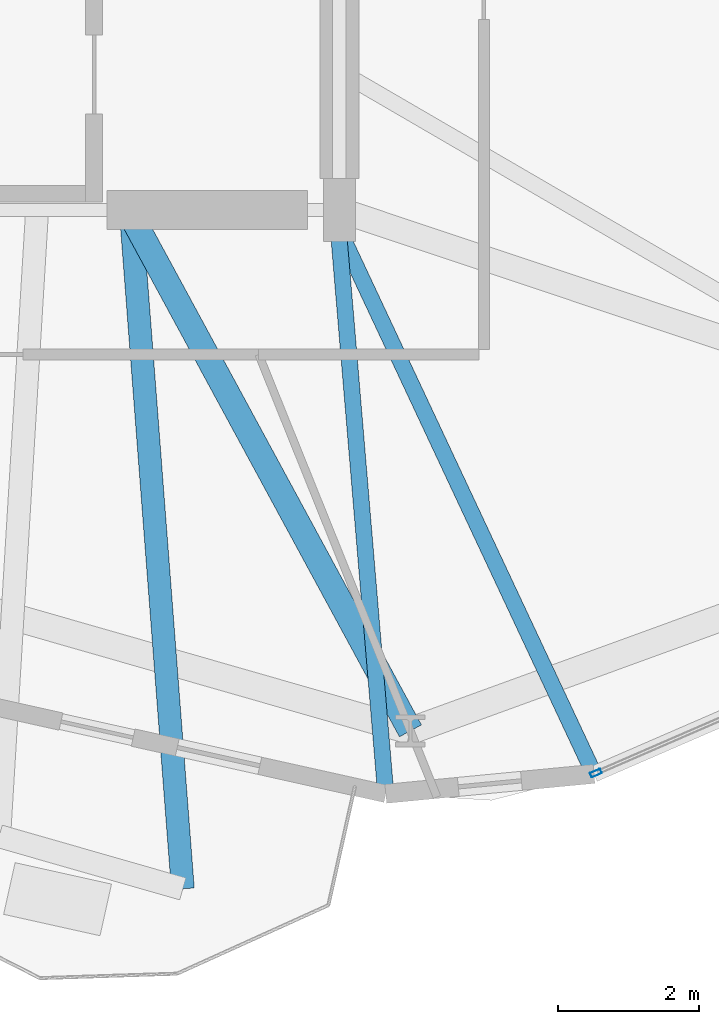
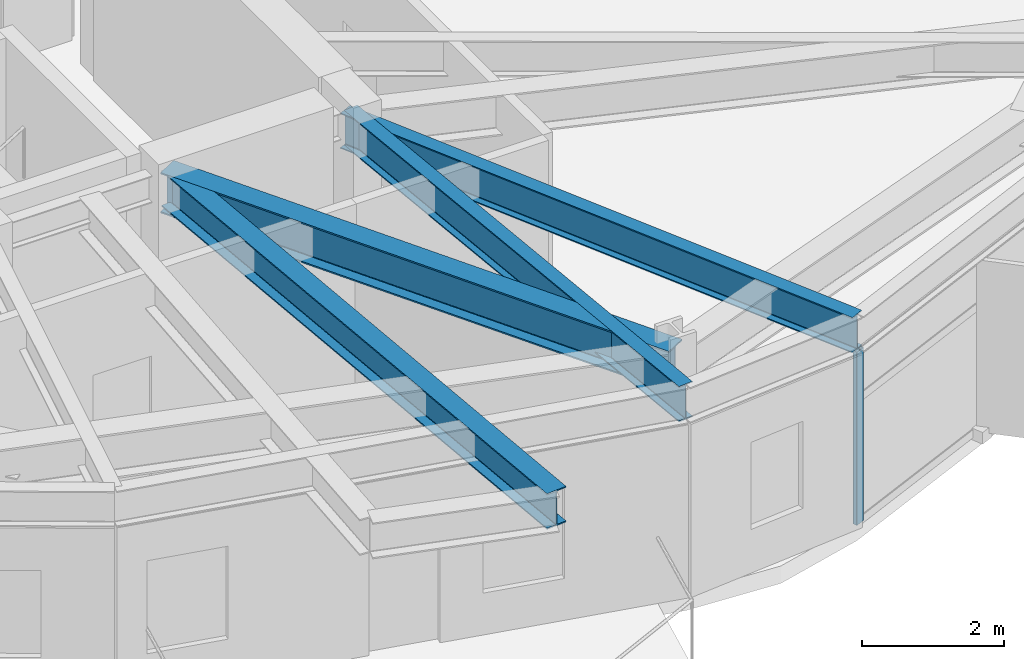
# One storey, part 5 of 23: 4 beams, 1 member, 1 element without a shape of its own.
"""IFC4 building model written with IfcOpenShell, lengths in metres."""

from ifc_helpers import new_model, si_unit, direction, frame, origin, origin_2d, place, context, subcontext, project, spatial, hollow_rectangle, i_section, extrude, material, layer, layer_set, material_profile, profile_set, type_object, element, aggregate, save


model = new_model("IFC4")

# Units and contexts
model_context = context("Model", 3, precision=1e-05, world=origin(), true_north=direction((0.0, 1.0)))
body_context = subcontext(model_context, "Body", "Model", "MODEL_VIEW")
ifc_project = project(units=[si_unit("LENGTHUNIT", "METRE"), si_unit("AREAUNIT", "SQUARE_METRE"), si_unit("VOLUMEUNIT", "CUBIC_METRE"), si_unit("PLANEANGLEUNIT", "RADIAN"), si_unit("MASSUNIT", "GRAM", prefix="KILO")], contexts=[model_context])

# Site, building, storey
site_placement = place(None, origin())
site = spatial("IfcSite", under=ifc_project, at=site_placement, CompositionType="ELEMENT")
building_placement = place(site_placement, origin())
building = spatial("IfcBuilding", under=site, at=building_placement, Name="Soratama Intermodal Tower", CompositionType="ELEMENT")
storey_placement = place(building_placement, frame((0.0, 0.0, 118.60009765625)))
storey = spatial("IfcBuildingStorey", under=building, at=storey_placement, Name="L28", CompositionType="ELEMENT", Elevation=118.60009765625)

# Beams
ifc_material_1 = material(Name="Structural steel ASTM A992 Grade 50", Category="steel")
ifc_material_profile_1 = material_profile(ifc_material_1, i_section(OverallWidth=0.324951171875, OverallDepth=0.615966796875, WebThickness=0.013916015625, FlangeThickness=0.021484375, FilletRadius=0.013916015625, at=origin_2d()), Name="W24X117")
ifc_profile_set_1 = profile_set([ifc_material_profile_1], Name="Structural steel ASTM A992 Grade 50")
beam_type_1 = type_object("IfcBeamType", Name="BM-CANT-W24X117", PredefinedType="BEAM", material=ifc_profile_set_1)
beam_1_placement = place(storey_placement, frame((41.64111328125, 14.9599609375, 3.2919921875), z_axis=(0.07660720861, -0.997061349962, 0.0), x_axis=(0.997061349962, 0.07660720861, 0.0)))
element("IfcBeam", 1, at=beam_1_placement, inside=storey, type_object=beam_type_1, Name="BM-L28-CANT-3-2", PredefinedType="BEAM", context=body_context, shape_type="SweptSolid", body=[
    extrude(i_section(OverallWidth=0.324951171875, OverallDepth=0.615966796875, WebThickness=0.013916015625, FlangeThickness=0.021484375, FilletRadius=0.013916015625, at=origin_2d()), origin(), (0.0, 0.0, 1.0), 9.6181640625),
])
ifc_material_2 = material(Name="Structural steel ASTM A992 Grade 50", Category="steel")
ifc_material_profile_2 = material_profile(ifc_material_2, i_section(OverallWidth=0.35498046875, OverallDepth=0.695068359375, WebThickness=0.015380859375, FlangeThickness=0.02490234375, FilletRadius=0.01611328125, at=origin_2d()), Name="W27X146")
ifc_profile_set_2 = profile_set([ifc_material_profile_2], Name="Structural steel ASTM A992 Grade 50")
beam_type_2 = type_object("IfcBeamType", Name="BM-RING-W27X146", PredefinedType="BEAM", material=ifc_profile_set_2)
beam_2_placement = place(storey_placement, frame((41.60009765625, 15.0, 3.25244140625), z_axis=(0.476697610532, -0.879067339919, 0.0), x_axis=(0.879067339919, 0.476697610532, 0.0)))
element("IfcBeam", 2, at=beam_2_placement, inside=storey, type_object=beam_type_2, Name="BM-L28-RAD-08", PredefinedType="BEAM", context=body_context, shape_type="SweptSolid", body=[
    extrude(i_section(OverallWidth=0.35498046875, OverallDepth=0.695068359375, WebThickness=0.015380859375, FlangeThickness=0.02490234375, FilletRadius=0.01611328125, at=origin_2d()), origin(), (0.0, 0.0, 1.0), 8.405517578125),
])
ifc_material_3 = material(Name="Structural steel ASTM A992 Grade 50", Category="steel")
ifc_material_profile_3 = material_profile(ifc_material_3, i_section(OverallWidth=0.22900390625, OverallDepth=0.612060546875, WebThickness=0.011962890625, FlangeThickness=0.01953125, FilletRadius=0.012939453125, at=origin_2d()), Name="W24X84")
ifc_profile_set_3 = profile_set([ifc_material_profile_3], Name="Structural steel ASTM A992 Grade 50")
beam_type_3 = type_object("IfcBeamType", Name="BM-TIE-W24X84", PredefinedType="BEAM", material=ifc_profile_set_3)
beam_3_placement = place(storey_placement, frame((44.56396484375, 14.9599609375, 3.2939453125), z_axis=(0.08380029073, -0.996482569478, 0.0), x_axis=(0.996482569478, 0.08380029073, 0.0)))
element("IfcBeam", 3, at=beam_3_placement, inside=storey, type_object=beam_type_3, Name="BM-L28-TIE1-07", PredefinedType="BEAM", context=body_context, shape_type="SweptSolid", body=[
    extrude(i_section(OverallWidth=0.22900390625, OverallDepth=0.612060546875, WebThickness=0.011962890625, FlangeThickness=0.01953125, FilletRadius=0.012939453125, at=origin_2d()), origin(), (0.0, 0.0, 1.0), 8.27099609375),
])
beam_4_placement = place(storey_placement, frame((44.47802734375, 14.964111328125, 3.2939453125), z_axis=(0.424408985625, -0.905470603013, 0.0), x_axis=(0.905470603013, 0.424408985625, 0.0)))
element("IfcBeam", 4, at=beam_4_placement, inside=storey, type_object=beam_type_3, Name="BM-L28-TIE0-08", PredefinedType="BEAM", context=body_context, shape_type="SweptSolid", body=[
    extrude(i_section(OverallWidth=0.22900390625, OverallDepth=0.612060546875, WebThickness=0.011962890625, FlangeThickness=0.01953125, FilletRadius=0.012939453125, at=origin_2d()), origin(), (0.0, 0.0, 1.0), 8.795654296875),
])

# Curtain wall, member
ifc_material_4 = material(Name="Double-glazed aluminium curtain wall", Category="aluminium")
ifc_layer = layer(ifc_material_4, 0.159912109375)
ifc_layer_set = layer_set([ifc_layer], Name="Double-glazed aluminium curtain wall")
curtain_wall_type = type_object("IfcCurtainWallType", Name="CW-SYS-3", PredefinedType="NOTDEFINED", material=ifc_layer_set)
curtain_wall_placement = place(storey_placement, origin())
curtain_wall = element("IfcCurtainWall", 5, at=curtain_wall_placement, inside=storey, type_object=curtain_wall_type, Name="L28 Faceted Curtain Wall F08", PredefinedType="NOTDEFINED")
ifc_material_5 = material(Name="Anodised aluminium AA 6063-T6", Category="aluminium")
ifc_material_profile_4 = material_profile(ifc_material_5, hollow_rectangle(XDim=0.070068359375, YDim=0.159912109375, WallThickness=0.0048828125, InnerFilletRadius=0.0048828125, OuterFilletRadius=0.010009765625, at=origin_2d()), Name="CWM160X70X5")
ifc_profile_set_4 = profile_set([ifc_material_profile_4], Name="Anodised aluminium AA 6063-T6")
member_type = type_object("IfcMemberType", Name="MT-CWM-3", PredefinedType="MULLION", material=ifc_profile_set_4)
member_placement = place(storey_placement, frame((48.238037109375, 7.012451171875, 0.0), z_axis=(0.0, 0.0, 1.0), x_axis=(-0.398104403825, 0.917340113401, 0.0)))
member = element("IfcMember", 6, at=member_placement, type_object=member_type, Name="CW-3 mullion 1", PredefinedType="MULLION", context=body_context, shape_type="SweptSolid", body=[
    extrude(hollow_rectangle(XDim=0.070068359375, YDim=0.159912109375, WallThickness=0.0048828125, InnerFilletRadius=0.0048828125, OuterFilletRadius=0.010009765625, at=origin_2d()), origin(), (0.0, 0.0, 1.0), 2.97900390625),
])
aggregate(curtain_wall, [member])

save(model, "model.ifc")
